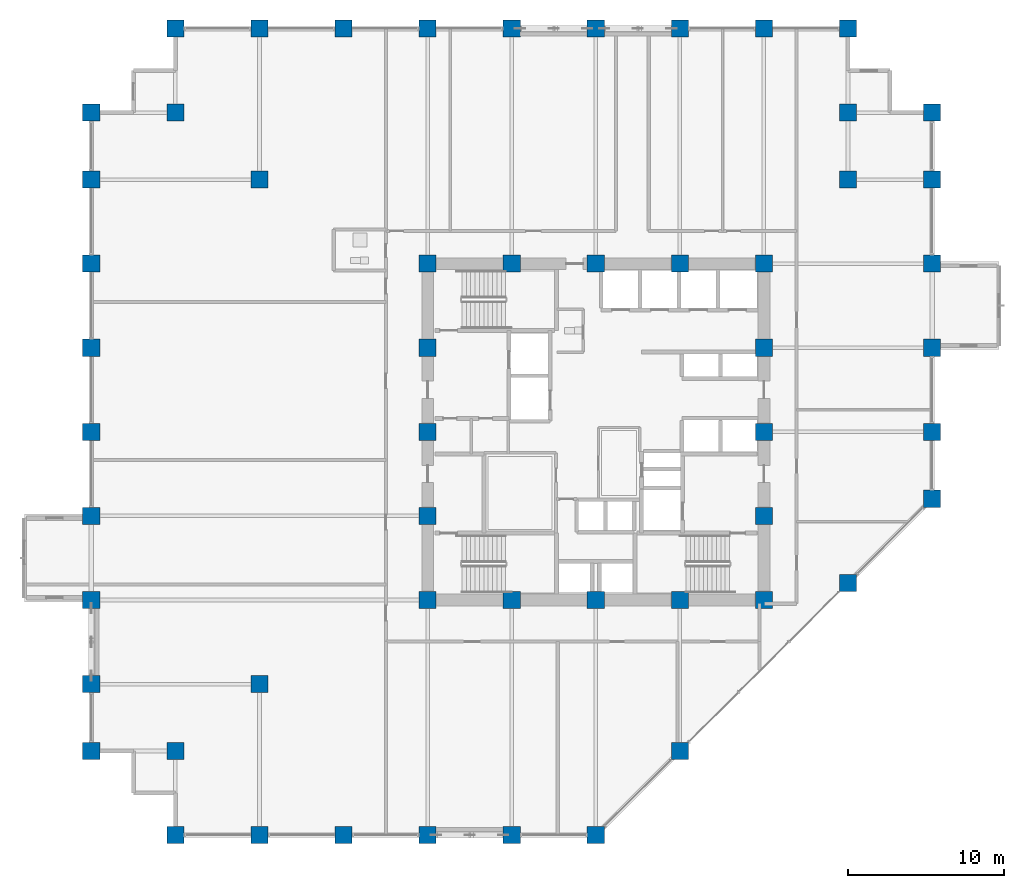
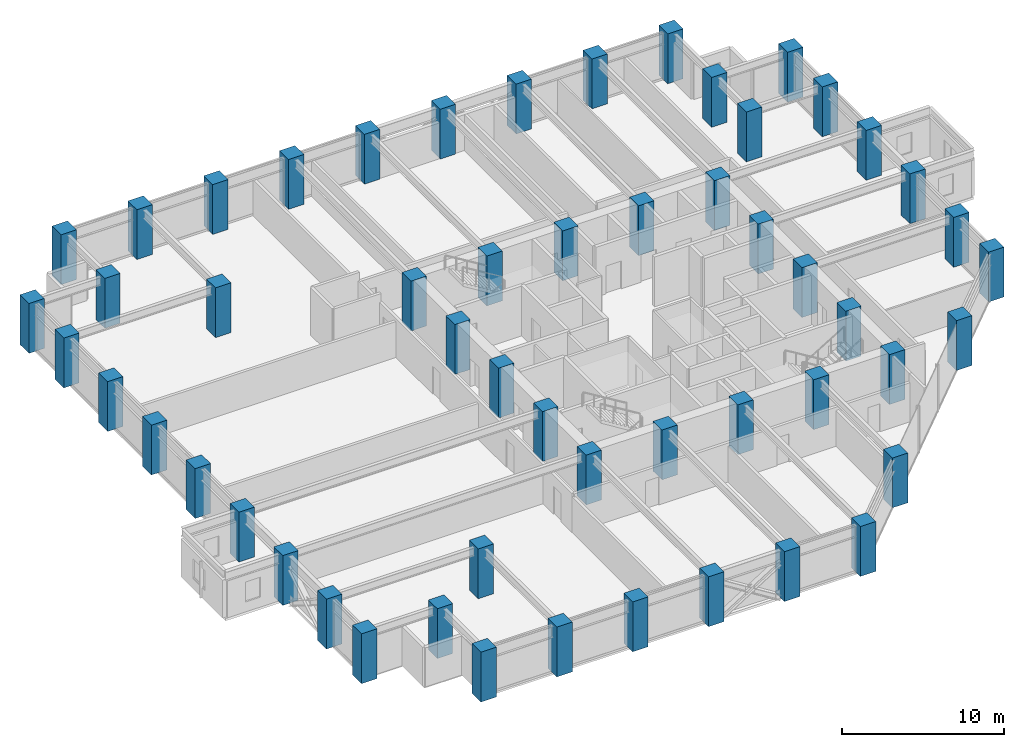
# One storey, part 1 of 29: 54 columns.
"""IFC4 building model written with IfcOpenShell, lengths in metres."""

from ifc_helpers import new_model, si_unit, direction, frame, origin, origin_2d, place, context, subcontext, project, spatial, rectangle, extrude, material, material_profile, profile_set, type_object, element, save


model = new_model("IFC4")

# Units and contexts
model_context = context("Model", 3, precision=1e-05, world=origin(), true_north=direction((0.0, 1.0)))
body_context = subcontext(model_context, "Body", "Model", "MODEL_VIEW")
ifc_project = project(units=[si_unit("LENGTHUNIT", "METRE"), si_unit("AREAUNIT", "SQUARE_METRE"), si_unit("VOLUMEUNIT", "CUBIC_METRE"), si_unit("PLANEANGLEUNIT", "RADIAN"), si_unit("MASSUNIT", "GRAM", prefix="KILO")], contexts=[model_context])

# Site, building, storey
site_placement = place(None, origin())
site = spatial("IfcSite", under=ifc_project, at=site_placement, CompositionType="ELEMENT")
building_placement = place(site_placement, origin())
building = spatial("IfcBuilding", under=site, at=building_placement, Name="Surkhivell Harbour Commons", CompositionType="ELEMENT")
storey_placement = place(building_placement, frame((0.0, 0.0, 90.75)))
storey = spatial("IfcBuildingStorey", under=building, at=storey_placement, Name="L23", CompositionType="ELEMENT", Elevation=90.75)

# Columns
ifc_material = material(Name="Concrete C60/75", Category="concrete")
ifc_material_profile = material_profile(ifc_material, rectangle(XDim=1.10009765625, YDim=1.10009765625, at=origin_2d()), Name="RC-COL-1100x1100")
ifc_profile_set = profile_set([ifc_material_profile], Name="Concrete C60/75")
column_type = type_object("IfcColumnType", Name="COL-TUBE-Z2A", PredefinedType="COLUMN", material=ifc_profile_set)
for number, where, z_axis, x_axis, name in (
    (1, (-32.39990234375, -20.5, 0.0), (0.0, 0.0, 1.0), (1.0, 0.0, 0.0), "L23 Column CT-2A (-32.4,-20.5)"),
    (2, (-32.39990234375, -16.199951171875, 0.0), (0.0, 0.0, 1.0), (1.0, 0.0, 0.0), "L23 Column CT-2A (-32.4,-16.2)"),
    (3, (-32.39990234375, -10.800048828125, 0.0), (0.0, 0.0, 1.0), (1.0, 0.0, 0.0), "L23 Column CT-2A (-32.4,-10.8)"),
    (4, (-32.39990234375, -5.39990234375, 0.0), (0.0, 0.0, 1.0), (1.0, 0.0, 0.0), "L23 Column CT-2A (-32.4,-5.4)"),
    (5, (-32.39990234375, 0.0, 0.0), (0.0, 0.0, 1.0), (1.0, 0.0, 0.0), "L23 Column CT-2A (-32.4,0.0)"),
    (6, (-32.39990234375, 5.39990234375, 0.0), (0.0, 0.0, 1.0), (1.0, 0.0, 0.0), "L23 Column CT-2A (-32.4,5.4)"),
    (7, (-32.39990234375, 10.800048828125, 0.0), (0.0, 0.0, 1.0), (1.0, 0.0, 0.0), "L23 Column CT-2A (-32.4,10.8)"),
    (8, (-32.39990234375, 16.199951171875, 0.0), (0.0, 0.0, 1.0), (1.0, 0.0, 0.0), "L23 Column CT-2A (-32.4,16.2)"),
    (9, (-32.39990234375, 20.5, 0.0), (0.0, 0.0, 1.0), (1.0, 0.0, 0.0), "L23 Column CT-2A (-32.4,20.5)"),
    (10, (-27.0, -25.89990234375, 0.0), (0.0, 0.0, 1.0), (1.0, 0.0, 0.0), "L23 Column CT-2A (-27.0,-25.9)"),
    (11, (-27.0, -20.5, 0.0), (0.0, 0.0, 1.0), (1.0, 0.0, 0.0), "L23 Column CT-2A (-27.0,-20.5)"),
    (12, (-27.0, 20.5, 0.0), (0.0, 0.0, 1.0), (1.0, 0.0, 0.0), "L23 Column CT-2A (-27.0,20.5)"),
    (13, (-27.0, 25.89990234375, 0.0), (0.0, 0.0, 1.0), (1.0, 0.0, 0.0), "L23 Column CT-2A (-27.0,25.9)"),
    (14, (-21.60009765625, -25.89990234375, 0.0), (0.0, 0.0, 1.0), (1.0, 0.0, 0.0), "L23 Column CT-2A (-21.6,-25.9)"),
    (15, (-21.60009765625, -16.199951171875, 0.0), (0.0, 0.0, 1.0), (1.0, 0.0, 0.0), "L23 Column CT-2A (-21.6,-16.2)"),
    (16, (-21.60009765625, 16.199951171875, 0.0), (0.0, 0.0, 1.0), (1.0, 0.0, 0.0), "L23 Column CT-2A (-21.6,16.2)"),
    (17, (-21.60009765625, 25.89990234375, 0.0), (0.0, 0.0, 1.0), (1.0, 0.0, 0.0), "L23 Column CT-2A (-21.6,25.9)"),
    (18, (-16.199951171875, -25.89990234375, 0.0), (0.0, 0.0, 1.0), (1.0, 0.0, 0.0), "L23 Column CT-2A (-16.2,-25.9)"),
    (19, (-16.199951171875, 25.89990234375, 0.0), (0.0, 0.0, 1.0), (1.0, 0.0, 0.0), "L23 Column CT-2A (-16.2,25.9)"),
    (20, (-10.800048828125, -25.89990234375, 0.0), (0.0, 0.0, 1.0), (1.0, 0.0, 0.0), "L23 Column CT-2A (-10.8,-25.9)"),
    (21, (-10.800048828125, -10.800048828125, 0.0), (0.0, 0.0, 1.0), (1.0, 0.0, 0.0), "L23 Column CT-2A (-10.8,-10.8)"),
    (22, (-10.800048828125, -5.39990234375, 0.0), (0.0, 0.0, 1.0), (1.0, 0.0, 0.0), "L23 Column CT-2A (-10.8,-5.4)"),
    (23, (-10.800048828125, 0.0, 0.0), (0.0, 0.0, 1.0), (1.0, 0.0, 0.0), "L23 Column CT-2A (-10.8,0.0)"),
    (24, (-10.800048828125, 5.39990234375, 0.0), (0.0, 0.0, 1.0), (1.0, 0.0, 0.0), "L23 Column CT-2A (-10.8,5.4)"),
    (25, (-10.800048828125, 10.800048828125, 0.0), (0.0, 0.0, 1.0), (1.0, 0.0, 0.0), "L23 Column CT-2A (-10.8,10.8)"),
    (26, (-10.800048828125, 25.89990234375, 0.0), (0.0, 0.0, 1.0), (1.0, 0.0, 0.0), "L23 Column CT-2A (-10.8,25.9)"),
    (27, (-5.39990234375, -25.89990234375, 0.0), (0.0, 0.0, 1.0), (1.0, 0.0, 0.0), "L23 Column CT-2A (-5.4,-25.9)"),
    (28, (-5.39990234375, -10.800048828125, 0.0), (0.0, 0.0, 1.0), (1.0, 0.0, 0.0), "L23 Column CT-2A (-5.4,-10.8)"),
    (29, (-5.39990234375, 10.800048828125, 0.0), (0.0, 0.0, 1.0), (1.0, 0.0, 0.0), "L23 Column CT-2A (-5.4,10.8)"),
    (30, (-5.39990234375, 25.89990234375, 0.0), (0.0, 0.0, 1.0), (1.0, 0.0, 0.0), "L23 Column CT-2A (-5.4,25.9)"),
    (31, (0.0, -25.89990234375, 0.0), (0.0, 0.0, 1.0), (1.0, 0.0, 0.0), "L23 Column CT-2A (-0.0,-25.9)"),
    (32, (0.0, -10.800048828125, 0.0), (0.0, 0.0, 1.0), (1.0, 0.0, 0.0), "L23 Column CT-2A (0.0,-10.8)"),
    (33, (0.0, 10.800048828125, 0.0), (0.0, 0.0, 1.0), (1.0, 0.0, 0.0), "L23 Column CT-2A (0.0,10.8)"),
    (34, (0.0, 25.89990234375, 0.0), (0.0, 0.0, 1.0), (1.0, 0.0, 0.0), "L23 Column CT-2A (-0.0,25.9)"),
    (35, (5.39990234375, -20.5, 0.0), (0.0, 0.0, 1.0), (1.0, 0.0, 0.0), "L23 Column CT-2A (5.4,-20.5)"),
    (36, (5.39990234375, -10.800048828125, 0.0), (0.0, 0.0, 1.0), (1.0, 0.0, 0.0), "L23 Column CT-2A (5.4,-10.8)"),
    (37, (5.39990234375, 10.800048828125, 0.0), (0.0, 0.0, 1.0), (1.0, 0.0, 0.0), "L23 Column CT-2A (5.4,10.8)"),
    (38, (5.39990234375, 25.89990234375, 0.0), (0.0, 0.0, 1.0), (1.0, 0.0, 0.0), "L23 Column CT-2A (5.4,25.9)"),
    (39, (10.800048828125, -10.800048828125, 0.0), (0.0, 0.0, 1.0), (1.0, 0.0, 0.0), "L23 Column CT-2A (10.8,-10.8)"),
    (40, (10.800048828125, -5.39990234375, 0.0), (0.0, 0.0, 1.0), (1.0, 0.0, 0.0), "L23 Column CT-2A (10.8,-5.4)"),
    (41, (10.800048828125, 0.0, 0.0), (0.0, 0.0, 1.0), (1.0, 0.0, 0.0), "L23 Column CT-2A (10.8,0.0)"),
    (42, (10.800048828125, 5.39990234375, 0.0), (0.0, 0.0, 1.0), (1.0, 0.0, 0.0), "L23 Column CT-2A (10.8,5.4)"),
    (43, (10.800048828125, 10.800048828125, 0.0), (0.0, 0.0, 1.0), (1.0, 0.0, 0.0), "L23 Column CT-2A (10.8,10.8)"),
    (44, (10.800048828125, 25.89990234375, 0.0), (0.0, 0.0, 1.0), (1.0, 0.0, 0.0), "L23 Column CT-2A (10.8,25.9)"),
    (45, (16.199951171875, -9.699951171875, 0.0), (0.0, 0.0, 1.0), (1.0, 0.0, 0.0), "L23 Column CT-2A (16.2,-9.7)"),
    (46, (16.199951171875, 16.199951171875, 0.0), (0.0, 0.0, 1.0), (1.0, 0.0, 0.0), "L23 Column CT-2A (16.2,16.2)"),
    (47, (16.199951171875, 20.5, 0.0), (0.0, 0.0, 1.0), (1.0, 0.0, 0.0), "L23 Column CT-2A (16.2,20.5)"),
    (48, (16.199951171875, 25.89990234375, 0.0), (0.0, 0.0, 1.0), (1.0, 0.0, 0.0), "L23 Column CT-2A (16.2,25.9)"),
    (49, (21.60009765625, -4.300048828125, 0.0), (0.0, 0.0, 1.0), (1.0, 0.0, 0.0), "L23 Column CT-2A (21.6,-4.3)"),
    (50, (21.60009765625, 0.0, 0.0), (0.0, 0.0, 1.0), (1.0, 0.0, 0.0), "L23 Column CT-2A (21.6,0.0)"),
    (51, (21.60009765625, 5.39990234375, 0.0), (0.0, 0.0, 1.0), (1.0, 0.0, 0.0), "L23 Column CT-2A (21.6,5.4)"),
    (52, (21.60009765625, 10.800048828125, 0.0), (0.0, 0.0, 1.0), (1.0, 0.0, 0.0), "L23 Column CT-2A (21.6,10.8)"),
    (53, (21.60009765625, 16.199951171875, 0.0), (0.0, 0.0, 1.0), (1.0, 0.0, 0.0), "L23 Column CT-2A (21.6,16.2)"),
    (54, (21.60009765625, 20.5, 0.0), (0.0, 0.0, 1.0), (1.0, 0.0, 0.0), "L23 Column CT-2A (21.6,20.5)"),
):
    element("IfcColumn", number, at=place(storey_placement, frame(where, z_axis=z_axis, x_axis=x_axis)), inside=storey, type_object=column_type, Name=name, PredefinedType="COLUMN", context=body_context, shape_type="SweptSolid", body=[
        extrude(rectangle(XDim=1.10009765625, YDim=1.10009765625, at=origin_2d()), origin(), (0.0, 0.0, 1.0), 3.75),
    ])

save(model, "model.ifc")
